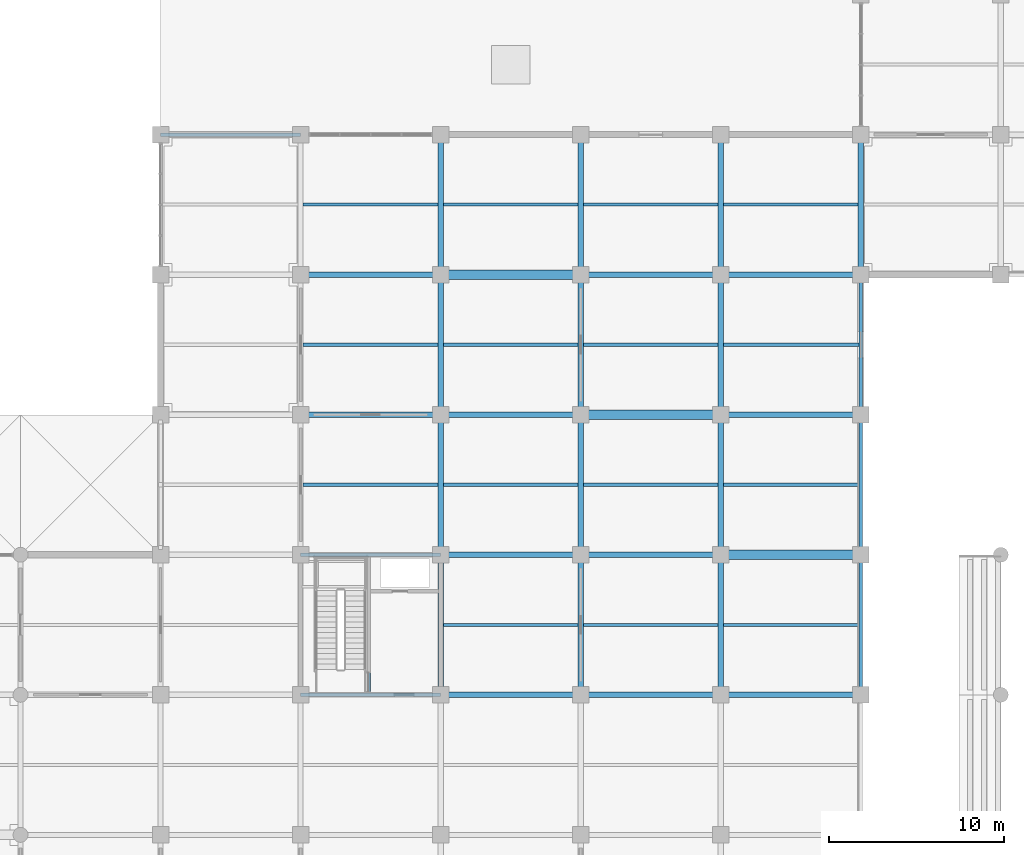
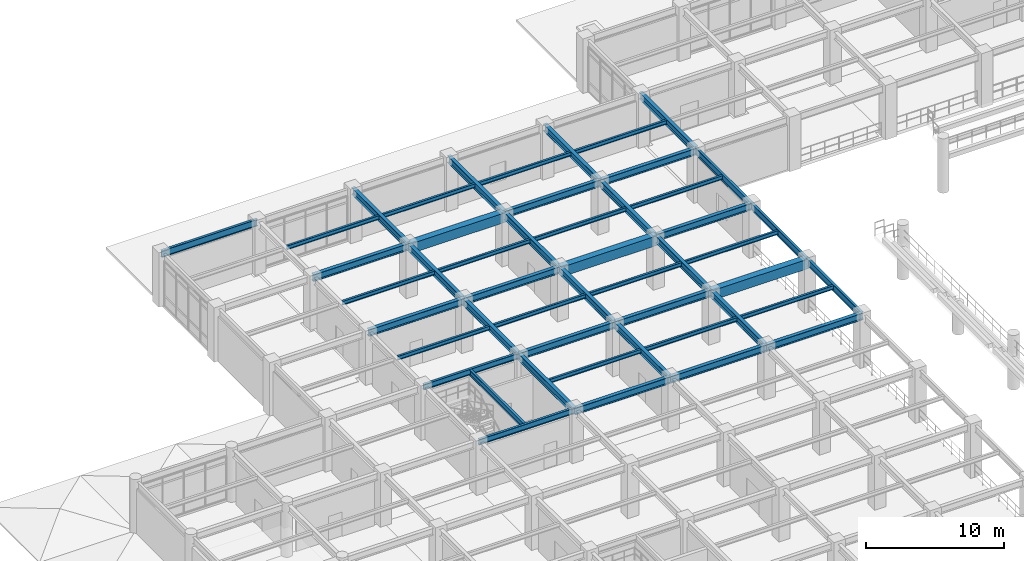
# One storey, part 39 of 109: 49 beams.
"""IFC4 building model written with IfcOpenShell, lengths in metres."""

import ifcopenshell
import ifcopenshell.guid

model = None  # the IFC model being written
_history = None  # IfcOwnerHistory: only IFC2X3 demands one
_inside = {}  # id of a spatial element -> (the spatial element, [elements in it])
_under = {}  # id of a project, library or spatial element -> (it, [spatial elements below it])
_declared = {}  # id of a project -> (the project, [libraries it declares])
_typed = {}  # id of a type object -> (the type object, [elements of that type])
_made_of = {}  # id of a material, layer set ... -> (it, [elements and type objects made of it])


def new_model(schema):
    """Start an empty IFC model of exactly this schema.

    Asked for "IFC4X3", IfcOpenShell would pick the latest addendum, in which some entities
    have other attributes; the version numbers below select the first issue.
    IFC2X3 requires an IfcOwnerHistory on every rooted entity: one is made here for all.
    """
    global model, _history
    if schema == "IFC4X3":
        model = ifcopenshell.file(schema_version=(4, 3, 0, 0))
    else:
        model = ifcopenshell.file(schema=schema)
    _inside.clear()
    _under.clear()
    _declared.clear()
    _typed.clear()
    _made_of.clear()
    _history = None
    if model.schema == "IFC2X3":
        org = make("IfcOrganization", Name="unknown")
        user = make(
            "IfcPersonAndOrganization",
            ThePerson=make("IfcPerson", FamilyName="unknown"),
            TheOrganization=org,
        )
        app = make(
            "IfcApplication",
            ApplicationDeveloper=org,
            Version="unknown",
            ApplicationFullName="unknown",
            ApplicationIdentifier="unknown",
        )
        _history = make(
            "IfcOwnerHistory",
            OwningUser=user,
            OwningApplication=app,
            ChangeAction="ADDED",
            CreationDate=0,
        )
    return model


def make(cls, **values):
    """One entity of the class cls with the attributes given. An attribute that is None is left unset."""
    return model.create_entity(
        cls, **{name: value for name, value in values.items() if value is not None}
    )


def rooted(cls, **values):
    """An entity with a GlobalId (a new one), such as an element, a storey or a relation."""
    return make(cls, GlobalId=ifcopenshell.guid.new(), OwnerHistory=_history, **values)


def si_unit(unit_type, name, prefix=None):
    """IfcSIUnit, for example si_unit("LENGTHUNIT", "METRE", prefix="MILLI")."""
    return make("IfcSIUnit", UnitType=unit_type, Prefix=prefix, Name=name)


def assignment(units):
    """IfcUnitAssignment: the units of a project."""
    return None if units is None else make("IfcUnitAssignment", Units=units)


def point(xyz):
    """IfcCartesianPoint."""
    return None if xyz is None else make("IfcCartesianPoint", Coordinates=xyz)


def direction(xyz):
    """IfcDirection."""
    return None if xyz is None else make("IfcDirection", DirectionRatios=xyz)


def frame(location, z_axis=None, x_axis=None):
    """IfcAxis2Placement3D, a coordinate frame: its origin and axes. An axis left out is left unset."""
    return make(
        "IfcAxis2Placement3D",
        Location=point(location),
        Axis=direction(z_axis),
        RefDirection=direction(x_axis),
    )


def frame_2d(location, x_axis=None):
    """IfcAxis2Placement2D, a coordinate frame in the plane: its origin and x axis."""
    return make(
        "IfcAxis2Placement2D", Location=point(location), RefDirection=direction(x_axis)
    )


def origin():
    """The frame at (0, 0, 0) with its axes left unset."""
    return frame((0.0, 0.0, 0.0))


def origin_2d():
    """The frame at (0, 0) in the plane with its x axis left unset."""
    return frame_2d((0.0, 0.0))


def place(relative_to, where):
    """IfcLocalPlacement: puts the frame where relative to a parent placement (None: the world)."""
    return make(
        "IfcLocalPlacement", PlacementRelTo=relative_to, RelativePlacement=where
    )


def context(
    kind, dimensions, precision=None, world=None, true_north=None, identifier=None
):
    """IfcGeometricRepresentationContext, for example the 3D "Model" context."""
    return make(
        "IfcGeometricRepresentationContext",
        ContextIdentifier=identifier,
        ContextType=kind,
        CoordinateSpaceDimension=dimensions,
        Precision=precision,
        WorldCoordinateSystem=world,
        TrueNorth=true_north,
    )


def subcontext(parent, identifier, kind, view, scale=None):
    """IfcGeometricRepresentationSubContext, for example "Body" below "Model"."""
    return make(
        "IfcGeometricRepresentationSubContext",
        ContextIdentifier=identifier,
        ContextType=kind,
        ParentContext=parent,
        TargetScale=scale,
        TargetView=view,
    )


def project(units=None, contexts=None):
    """IfcProject with its units and contexts."""
    return rooted(
        "IfcProject",
        Name="project",
        RepresentationContexts=contexts,
        UnitsInContext=assignment(units),
    )


def spatial(cls, under=None, at=None, **own):
    """A site, building, storey or space (cls), placed at a placement, below another one or the project."""
    s = rooted(cls, ObjectPlacement=at, **own)
    if under is not None:
        _under.setdefault(under.id(), (under, []))[1].append(s)
    return s


def profile(cls, at=None, kind="AREA", **sizes):
    """A parametric profile (cls). Its sizes go by their IFC names, for example OverallWidth=200.0."""
    return make(cls, ProfileType=kind, Position=at, **sizes)


def rectangle(**sizes):
    """IfcRectangleProfileDef."""
    return profile("IfcRectangleProfileDef", **sizes)


def i_section(**sizes):
    """IfcIShapeProfileDef."""
    return profile("IfcIShapeProfileDef", **sizes)


def extrude(swept, where, along, depth):
    """IfcExtrudedAreaSolid: the profile swept, set in the frame where, extruded along a direction by depth."""
    return make(
        "IfcExtrudedAreaSolid",
        SweptArea=swept,
        Position=where,
        ExtrudedDirection=direction(along),
        Depth=depth,
    )


def shape(context_of_items, identifier, shape_type, items):
    """IfcShapeRepresentation: the items that make up one representation, for example the "Body"."""
    return make(
        "IfcShapeRepresentation",
        ContextOfItems=context_of_items,
        RepresentationIdentifier=identifier,
        RepresentationType=shape_type,
        Items=items,
    )


def material(Name=None, Category=None):
    """IfcMaterial."""
    return make("IfcMaterial", Name=Name, Category=Category)


def material_profile(
    of_material, cross_section, Name=None, Category=None, Priority=None
):
    """IfcMaterialProfile: a cross section and its material."""
    return make(
        "IfcMaterialProfile",
        Name=Name,
        Material=of_material,
        Profile=cross_section,
        Priority=Priority,
        Category=Category,
    )


def profile_set(profiles, Name=None, composite=None):
    """IfcMaterialProfileSet."""
    return make(
        "IfcMaterialProfileSet",
        Name=Name,
        MaterialProfiles=profiles,
        CompositeProfile=composite,
    )


def made_of(thing, what):
    """Note that an element or type object is made of a material, layer set ...; save() writes the relation."""
    if what is not None:
        _made_of.setdefault(what.id(), (what, []))[1].append(thing)
    return thing


def type_object(cls, material=None, **own):
    """A type object (cls), such as IfcWallType, which elements share."""
    return made_of(rooted(cls, **own), material)


def element(
    cls,
    number,
    at=None,
    inside=None,
    cuts=None,
    type_object=None,
    material=None,
    context=None,
    identifier="Body",
    shape_type=None,
    held_by="IfcProductDefinitionShape",
    body=None,
    shapes=None,
    **own,
):
    """One element of the class cls, such as IfcWall. Its Tag is "e" and its number.

    at: its placement. inside: the storey or other place that contains it. cuts: it is an
    opening in that element (IfcRelVoidsElement). A single representation is given by context,
    identifier, shape_type and body (its items); several are given by shapes. held_by: the class
    of the entity that holds the representations. save() writes the other relations.
    """
    e = rooted(cls, Tag="e%d" % number, ObjectPlacement=at, **own)
    if body is not None:
        shapes = [shape(context, identifier, shape_type, body)]
    if shapes is not None:
        e.Representation = make(held_by, Representations=shapes)
    if inside is not None:
        _inside.setdefault(inside.id(), (inside, []))[1].append(e)
    if cuts is not None:
        rooted(
            "IfcRelVoidsElement", RelatingBuildingElement=cuts, RelatedOpeningElement=e
        )
    if type_object is not None:
        _typed.setdefault(type_object.id(), (type_object, []))[1].append(e)
    return made_of(e, material)


def aggregate(whole, parts):
    """IfcRelAggregates: a whole, such as a stair, and the parts it consists of."""
    return rooted("IfcRelAggregates", RelatingObject=whole, RelatedObjects=parts)


def save(model, path):
    """Write the relations noted so far, then the file.

    IfcRelAggregates (storeys below a building ...), IfcRelContainedInSpatialStructure (elements
    in a storey), IfcRelDefinesByType, IfcRelAssociatesMaterial and IfcRelDeclares: one each for
    every whole, place, type object, material and project.
    """
    for whole, parts in _under.values():
        aggregate(whole, parts)
    for where, things in _inside.values():
        rooted(
            "IfcRelContainedInSpatialStructure",
            RelatedElements=things,
            RelatingStructure=where,
        )
    for kind, things in _typed.values():
        rooted("IfcRelDefinesByType", RelatedObjects=things, RelatingType=kind)
    for what, things in _made_of.values():
        rooted("IfcRelAssociatesMaterial", RelatedObjects=things, RelatingMaterial=what)
    for by, libraries in _declared.values():
        rooted("IfcRelDeclares", RelatingContext=by, RelatedDefinitions=libraries)
    model.write(path)


model = new_model("IFC4")

# Units and contexts
model_context = context("Model", 3, precision=1e-05, world=origin(), true_north=direction((0.0, 1.0)))
body_context = subcontext(model_context, "Body", "Model", "MODEL_VIEW")
ifc_project = project(units=[si_unit("LENGTHUNIT", "METRE"), si_unit("AREAUNIT", "SQUARE_METRE"), si_unit("VOLUMEUNIT", "CUBIC_METRE"), si_unit("PLANEANGLEUNIT", "RADIAN"), si_unit("MASSUNIT", "GRAM", prefix="KILO")], contexts=[model_context])

# Site, building, storey
site_placement = place(None, origin())
site = spatial("IfcSite", under=ifc_project, at=site_placement, CompositionType="ELEMENT")
building_placement = place(site_placement, origin())
building = spatial("IfcBuilding", under=site, at=building_placement, Name="Haebicheon Civic Stadium", CompositionType="ELEMENT")
storey_placement = place(building_placement, frame((0.0, 0.0, 9.60009765625)))
storey = spatial("IfcBuildingStorey", under=building, at=storey_placement, Name="L03", CompositionType="ELEMENT", Elevation=9.60009765625)

# Beams
ifc_material_1 = material(Name="Concrete C40/50", Category="concrete")
ifc_material_profile_1 = material_profile(ifc_material_1, rectangle(XDim=0.550048828125, YDim=0.85009765625, at=origin_2d()), Name="RC-BM-550x850")
ifc_profile_set_1 = profile_set([ifc_material_profile_1], Name="Concrete C40/50")
beam_type_1 = type_object("IfcBeamType", Name="BM-RC-550x850", PredefinedType="BEAM", material=ifc_profile_set_1)
for number, where, z_axis, x_axis, name in (
    (1, (40.0, 152.0, 4.114990234375), (1.0, 0.0, 0.0), (0.0, 1.0, 0.0), "L03 beam V/6-7"),
    (2, (48.0, 144.0, 4.114990234375), (1.0, 0.0, 0.0), (0.0, 1.0, 0.0), "L03 beam U/7-8"),
    (3, (56.0, 136.0, 4.114990234375), (1.0, 0.0, 0.0), (0.0, 1.0, 0.0), "L03 beam T/8-9"),
):
    element("IfcBeam", number, at=place(storey_placement, frame(where, z_axis=z_axis, x_axis=x_axis)), inside=storey, type_object=beam_type_1, material=ifc_profile_set_1, Name=name, PredefinedType="BEAM", context=body_context, shape_type="SweptSolid", body=[
        extrude(rectangle(XDim=0.550048828125, YDim=0.85009765625, at=origin_2d()), origin(), (0.0, 0.0, 1.0), 8.0),
    ])
ifc_material_2 = material(Name="Steel SM355 (S355)", Category="steel")
ifc_material_profile_2 = material_profile(ifc_material_2, i_section(OverallWidth=0.199951171875, OverallDepth=0.5, WebThickness=0.010009765625, FlangeThickness=0.01611328125, at=origin_2d()), Name="H-500x200x10x16")
ifc_profile_set_2 = profile_set([ifc_material_profile_2], Name="Steel SM355 (S355)")
beam_type_2 = type_object("IfcBeamType", Name="BM-ST-H500", PredefinedType="BEAM", material=ifc_profile_set_2)
for number, where, z_axis, x_axis, name in (
    (4, (32.0, 128.0, 4.289794921875), (1.0, 0.0, 0.0), (0.0, 1.0, 0.0), "L03 beam S/5-6"),
    (5, (32.0, 136.0, 4.289794921875), (1.0, 0.0, 0.0), (0.0, 1.0, 0.0), "L03 beam T/5-6"),
):
    element("IfcBeam", number, at=place(storey_placement, frame(where, z_axis=z_axis, x_axis=x_axis)), inside=storey, type_object=beam_type_2, material=ifc_profile_set_2, Name=name, PredefinedType="BEAM", context=body_context, shape_type="SweptSolid", body=[
        extrude(i_section(OverallWidth=0.199951171875, OverallDepth=0.5, WebThickness=0.010009765625, FlangeThickness=0.01611328125, at=origin_2d()), origin(), (0.0, 0.0, 1.0), 8.0),
    ])
beam_1_placement = place(storey_placement, frame((35.8798828125, 128.10009765625, 4.289794921875), z_axis=(0.0, 1.0, 0.0), x_axis=(-1.0, 0.0, 0.0)))
element("IfcBeam", 6, at=beam_1_placement, inside=storey, type_object=beam_type_2, material=ifc_profile_set_2, Name="L03 KC-05 core dividing wall support beam", PredefinedType="BEAM", context=body_context, shape_type="SweptSolid", body=[
    extrude(i_section(OverallWidth=0.199951171875, OverallDepth=0.5, WebThickness=0.010009765625, FlangeThickness=0.01611328125, at=origin_2d()), origin(), (0.0, 0.0, 1.0), 7.7998046875),
])
ifc_material_3 = material(Name="Steel SM355 (S355)", Category="steel")
ifc_material_profile_3 = material_profile(ifc_material_3, i_section(OverallWidth=0.300048828125, OverallDepth=0.60009765625, WebThickness=0.011962890625, FlangeThickness=0.02001953125, at=origin_2d()), Name="H-600x300x12x20")
ifc_profile_set_3 = profile_set([ifc_material_profile_3], Name="Steel SM355 (S355)")
beam_type_3 = type_object("IfcBeamType", Name="BM-ST-H600A", PredefinedType="BEAM", material=ifc_profile_set_3)
for number, where, z_axis, x_axis, name in (
    (7, (40.0, 128.0, 4.239990234375), (0.0, 1.0, 0.0), (-1.0, 0.0, 0.0), "L03 girder 6/S-T"),
    (8, (40.0, 136.0, 4.239990234375), (0.0, 1.0, 0.0), (-1.0, 0.0, 0.0), "L03 girder 6/T-U"),
    (9, (40.0, 144.0, 4.239990234375), (0.0, 1.0, 0.0), (-1.0, 0.0, 0.0), "L03 girder 6/U-V"),
    (10, (40.0, 152.0, 4.27978515625), (0.0, 1.0, 0.0), (-1.0, 0.0, 0.0), "L03 girder 6/V-W"),
    (11, (48.0, 128.0, 4.239990234375), (0.0, 1.0, 0.0), (-1.0, 0.0, 0.0), "L03 girder 7/S-T"),
    (12, (48.0, 136.0, 4.239990234375), (0.0, 1.0, 0.0), (-1.0, 0.0, 0.0), "L03 girder 7/T-U"),
    (13, (48.0, 144.0, 4.239990234375), (0.0, 1.0, 0.0), (-1.0, 0.0, 0.0), "L03 girder 7/U-V"),
    (14, (48.0, 152.0, 4.27978515625), (0.0, 1.0, 0.0), (-1.0, 0.0, 0.0), "L03 girder 7/V-W"),
    (15, (56.0, 128.0, 4.239990234375), (0.0, 1.0, 0.0), (-1.0, 0.0, 0.0), "L03 girder 8/S-T"),
    (16, (56.0, 136.0, 4.239990234375), (0.0, 1.0, 0.0), (-1.0, 0.0, 0.0), "L03 girder 8/T-U"),
    (17, (56.0, 144.0, 4.239990234375), (0.0, 1.0, 0.0), (-1.0, 0.0, 0.0), "L03 girder 8/U-V"),
    (18, (56.0, 152.0, 4.27978515625), (0.0, 1.0, 0.0), (-1.0, 0.0, 0.0), "L03 girder 8/V-W"),
    (19, (64.0, 152.0, 4.27978515625), (0.0, 1.0, 0.0), (-1.0, 0.0, 0.0), "L03 girder 9/V-W"),
    (20, (32.0, 144.0, 4.239990234375), (1.0, 0.0, 0.0), (0.0, 1.0, 0.0), "L03 beam U/5-6"),
    (21, (32.0, 152.0, 4.239990234375), (1.0, 0.0, 0.0), (0.0, 1.0, 0.0), "L03 beam V/5-6"),
    (22, (40.0, 128.0, 4.239990234375), (1.0, 0.0, 0.0), (0.0, 1.0, 0.0), "L03 beam S/6-7"),
    (23, (40.0, 136.0, 4.239990234375), (1.0, 0.0, 0.0), (0.0, 1.0, 0.0), "L03 beam T/6-7"),
    (24, (40.0, 144.0, 4.239990234375), (1.0, 0.0, 0.0), (0.0, 1.0, 0.0), "L03 beam U/6-7"),
    (25, (48.0, 128.0, 4.239990234375), (1.0, 0.0, 0.0), (0.0, 1.0, 0.0), "L03 beam S/7-8"),
    (26, (48.0, 136.0, 4.239990234375), (1.0, 0.0, 0.0), (0.0, 1.0, 0.0), "L03 beam T/7-8"),
    (27, (48.0, 152.0, 4.239990234375), (1.0, 0.0, 0.0), (0.0, 1.0, 0.0), "L03 beam V/7-8"),
    (28, (56.0, 128.0, 4.239990234375), (1.0, 0.0, 0.0), (0.0, 1.0, 0.0), "L03 beam S/8-9"),
    (29, (56.0, 144.0, 4.239990234375), (1.0, 0.0, 0.0), (0.0, 1.0, 0.0), "L03 beam U/8-9"),
    (30, (56.0, 152.0, 4.239990234375), (1.0, 0.0, 0.0), (0.0, 1.0, 0.0), "L03 beam V/8-9"),
):
    element("IfcBeam", number, at=place(storey_placement, frame(where, z_axis=z_axis, x_axis=x_axis)), inside=storey, type_object=beam_type_3, material=ifc_profile_set_3, Name=name, PredefinedType="BEAM", context=body_context, shape_type="SweptSolid", body=[
        extrude(i_section(OverallWidth=0.300048828125, OverallDepth=0.60009765625, WebThickness=0.011962890625, FlangeThickness=0.02001953125, at=origin_2d()), origin(), (0.0, 0.0, 1.0), 8.0),
    ])
ifc_material_4 = material(Name="Steel SM355 (S355)", Category="steel")
ifc_material_profile_4 = material_profile(ifc_material_4, i_section(OverallWidth=0.175048828125, OverallDepth=0.35009765625, WebThickness=0.007080078125, FlangeThickness=0.010986328125, at=origin_2d()), Name="H-350x175x7x11")
ifc_profile_set_4 = profile_set([ifc_material_profile_4], Name="Steel SM355 (S355)")
beam_type_4 = type_object("IfcBeamType", Name="JST-ST-H350", PredefinedType="JOIST", material=ifc_profile_set_4)
for number, where, z_axis, x_axis, name in (
    (31, (32.14990234375, 140.0, 4.364990234375), (1.0, 0.0, 0.0), (0.0, 1.0, 0.0), "L03 secondary joist 04-17"),
    (32, (32.14990234375, 148.0, 4.364990234375), (1.0, 0.0, 0.0), (0.0, 1.0, 0.0), "L03 secondary joist 04-18"),
    (33, (32.14990234375, 156.0, 4.40478515625), (1.0, 0.0, 0.0), (0.0, 1.0, 0.0), "L03 secondary joist 04-19"),
    (34, (40.14990234375, 132.0, 4.364990234375), (1.0, 0.0, 0.0), (0.0, 1.0, 0.0), "L03 secondary joist 05-16"),
    (35, (40.14990234375, 140.0, 4.364990234375), (1.0, 0.0, 0.0), (0.0, 1.0, 0.0), "L03 secondary joist 05-17"),
    (36, (40.14990234375, 148.0, 4.364990234375), (1.0, 0.0, 0.0), (0.0, 1.0, 0.0), "L03 secondary joist 05-18"),
    (37, (40.14990234375, 156.0, 4.40478515625), (1.0, 0.0, 0.0), (0.0, 1.0, 0.0), "L03 secondary joist 05-19"),
    (38, (48.14990234375, 132.0, 4.364990234375), (1.0, 0.0, 0.0), (0.0, 1.0, 0.0), "L03 secondary joist 06-16"),
    (39, (48.14990234375, 140.0, 4.364990234375), (1.0, 0.0, 0.0), (0.0, 1.0, 0.0), "L03 secondary joist 06-17"),
    (40, (48.14990234375, 148.0, 4.364990234375), (1.0, 0.0, 0.0), (0.0, 1.0, 0.0), "L03 secondary joist 06-18"),
    (41, (48.14990234375, 156.0, 4.40478515625), (1.0, 0.0, 0.0), (0.0, 1.0, 0.0), "L03 secondary joist 06-19"),
):
    element("IfcBeam", number, at=place(storey_placement, frame(where, z_axis=z_axis, x_axis=x_axis)), inside=storey, type_object=beam_type_4, material=ifc_profile_set_4, Name=name, PredefinedType="JOIST", context=body_context, shape_type="SweptSolid", body=[
        extrude(i_section(OverallWidth=0.175048828125, OverallDepth=0.35009765625, WebThickness=0.007080078125, FlangeThickness=0.010986328125, at=origin_2d()), origin(), (0.0, 0.0, 1.0), 7.7001953125),
    ])
for number, where, z_axis, x_axis, name in (
    (42, (56.14990234375, 132.0, 4.364990234375), (1.0, 0.0, 0.0), (0.0, 1.0, 0.0), "L03 secondary joist 07-16"),
    (43, (56.14990234375, 140.0, 4.364990234375), (1.0, 0.0, 0.0), (0.0, 1.0, 0.0), "L03 secondary joist 07-17"),
    (44, (56.14990234375, 148.0, 4.364990234375), (1.0, 0.0, 0.0), (0.0, 1.0, 0.0), "L03 secondary joist 07-18"),
):
    element("IfcBeam", number, at=place(storey_placement, frame(where, z_axis=z_axis, x_axis=x_axis)), inside=storey, type_object=beam_type_4, material=ifc_profile_set_4, Name=name, PredefinedType="JOIST", context=body_context, shape_type="SweptSolid", body=[
        extrude(i_section(OverallWidth=0.175048828125, OverallDepth=0.35009765625, WebThickness=0.007080078125, FlangeThickness=0.010986328125, at=origin_2d()), origin(), (0.0, 0.0, 1.0), 7.75),
    ])
beam_2_placement = place(storey_placement, frame((56.14990234375, 156.0, 4.40478515625), z_axis=(1.0, 0.0, 0.0), x_axis=(0.0, 1.0, 0.0)))
element("IfcBeam", 45, at=beam_2_placement, inside=storey, type_object=beam_type_4, material=ifc_profile_set_4, Name="L03 secondary joist 07-19", PredefinedType="JOIST", context=body_context, shape_type="SweptSolid", body=[
    extrude(i_section(OverallWidth=0.175048828125, OverallDepth=0.35009765625, WebThickness=0.007080078125, FlangeThickness=0.010986328125, at=origin_2d()), origin(), (0.0, 0.0, 1.0), 7.7001953125),
])
ifc_material_5 = material(Name="Steel SM355 (S355)", Category="steel")
ifc_material_profile_5 = material_profile(ifc_material_5, i_section(OverallWidth=0.199951171875, OverallDepth=0.60009765625, WebThickness=0.010986328125, FlangeThickness=0.01708984375, at=origin_2d()), Name="H-600x200x11x17")
ifc_profile_set_5 = profile_set([ifc_material_profile_5], Name="Steel SM355 (S355)")
beam_type_5 = type_object("IfcBeamType", Name="SPD-ST-H600B", PredefinedType="SPANDREL", material=ifc_profile_set_5)
for number, where, z_axis, x_axis, name in (
    (46, (64.0, 128.0, 4.239990234375), (0.0, 1.0, 0.0), (-1.0, 0.0, 0.0), "L03 girder 9/S-T"),
    (47, (64.0, 136.0, 4.239990234375), (0.0, 1.0, 0.0), (-1.0, 0.0, 0.0), "L03 girder 9/T-U"),
    (48, (64.0, 144.0, 4.239990234375), (0.0, 1.0, 0.0), (-1.0, 0.0, 0.0), "L03 girder 9/U-V"),
    (49, (24.0, 160.0, 4.27978515625), (1.0, 0.0, 0.0), (0.0, 1.0, 0.0), "L03 beam W/4-5"),
):
    element("IfcBeam", number, at=place(storey_placement, frame(where, z_axis=z_axis, x_axis=x_axis)), inside=storey, type_object=beam_type_5, material=ifc_profile_set_5, Name=name, PredefinedType="SPANDREL", context=body_context, shape_type="SweptSolid", body=[
        extrude(i_section(OverallWidth=0.199951171875, OverallDepth=0.60009765625, WebThickness=0.010986328125, FlangeThickness=0.01708984375, at=origin_2d()), origin(), (0.0, 0.0, 1.0), 8.0),
    ])

save(model, "model.ifc")
